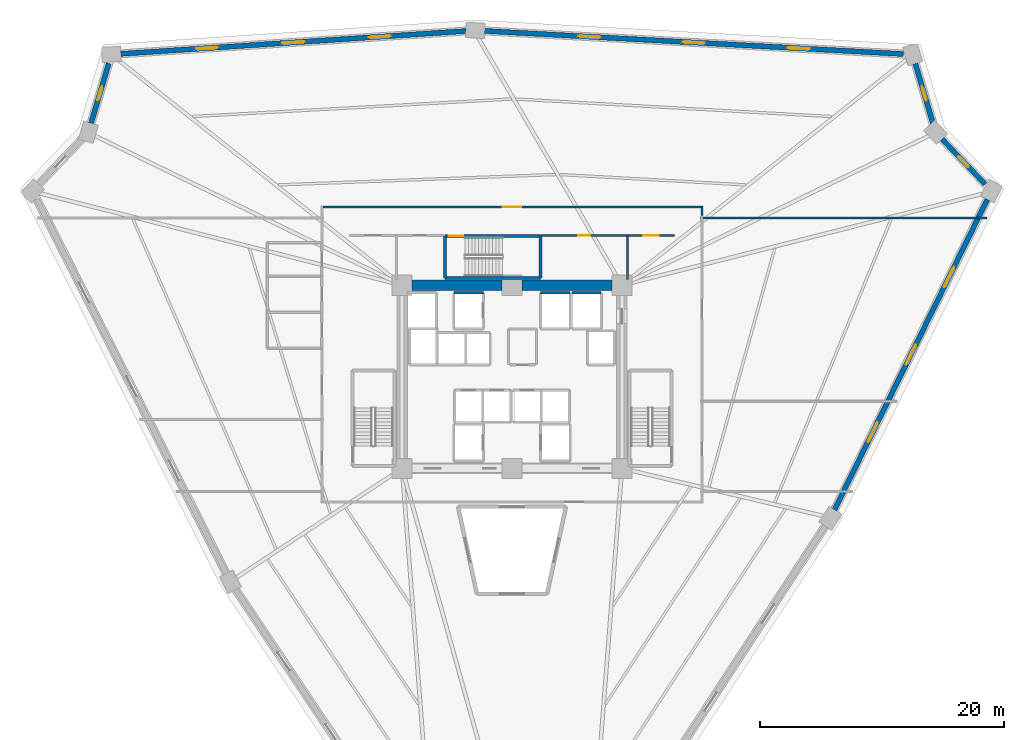
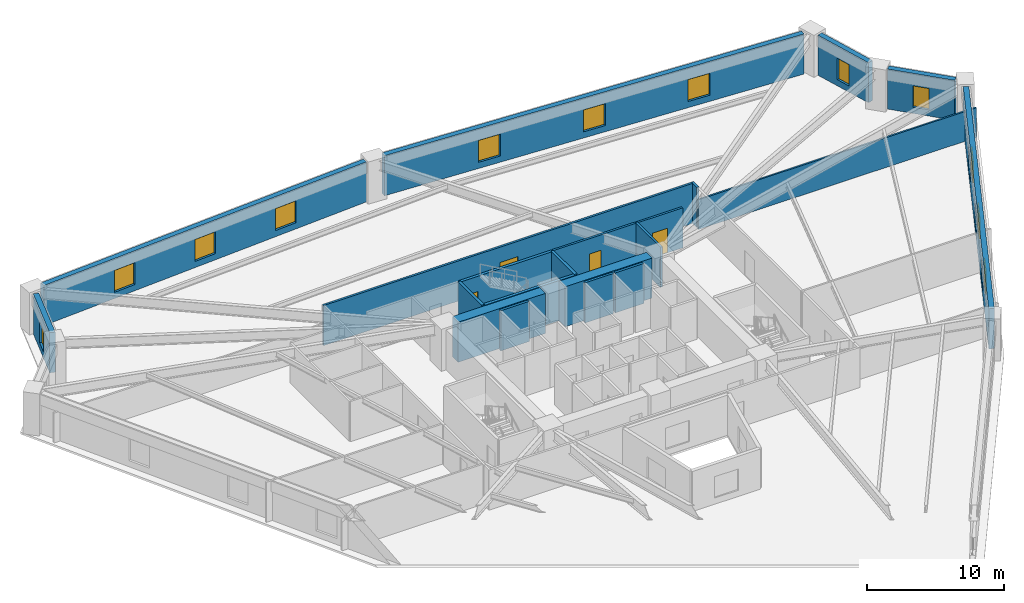
# One storey, part 6 of 8: 21 walls, 12 windows, 4 doors, 16 openings.
"""IFC4 building model written with IfcOpenShell, lengths in metres."""

from ifc_helpers import new_model, si_unit, direction, frame, frame_2d, origin, place, context, subcontext, project, spatial, rectangle, extrude, source, transform, mapped, material, layer, layer_set, type_object, element, fill, save


model = new_model("IFC4")

# Units and contexts
model_context = context("Model", 3, precision=1e-05, world=origin(), true_north=direction((0.0, 1.0)))
body_context = subcontext(model_context, "Body", "Model", "MODEL_VIEW")
ifc_project = project(units=[si_unit("LENGTHUNIT", "METRE"), si_unit("AREAUNIT", "SQUARE_METRE"), si_unit("VOLUMEUNIT", "CUBIC_METRE"), si_unit("PLANEANGLEUNIT", "RADIAN"), si_unit("MASSUNIT", "GRAM", prefix="KILO")], contexts=[model_context])

# Site, building, storey
site_placement = place(None, origin())
site = spatial("IfcSite", under=ifc_project, at=site_placement, CompositionType="ELEMENT")
building_placement = place(site_placement, origin())
building = spatial("IfcBuilding", under=site, at=building_placement, Name="Liaohun Quay Tower", CompositionType="ELEMENT")
storey_placement = place(building_placement, frame((0.0, 0.0, 36.0)))
storey = spatial("IfcBuildingStorey", under=building, at=storey_placement, Name="L09", CompositionType="ELEMENT", Elevation=36.0)

# Walls
ifc_material_1 = material(Name="Concrete C60", Category="concrete")
ifc_layer_1 = layer(ifc_material_1, 0.85009765625, Name="Concrete C60", Category="concrete")
ifc_layer_set_1 = layer_set([ifc_layer_1], Name="Concrete C60")
wall_type_1 = type_object("IfcWallType", Name="WAL-COR-Z1", PredefinedType="SHEAR", material=ifc_layer_set_1)
for number, where, z_axis, x_axis, name in (
    (1, (51.824951171875, 61.5, 0.0), (0.0, 0.0, 1.0), (1.0, 0.0, 0.0), "L09 Central Core Shear Wall N-W"),
    (2, (60.824951171875, 61.5, 0.0), (0.0, 0.0, 1.0), (1.0, 0.0, 0.0), "L09 Central Core Shear Wall N-E"),
):
    element("IfcWall", number, at=place(storey_placement, frame(where, z_axis=z_axis, x_axis=x_axis)), inside=storey, type_object=wall_type_1, Name=name, PredefinedType="SHEAR", context=body_context, shape_type="SweptSolid", body=[
        extrude(rectangle(XDim=7.35009765625, YDim=0.85009765625, at=frame_2d((3.675048828125, 0.0))), origin(), (0.0, 0.0, 1.0), 3.570068359375),
    ])

# Wall, openings, windows
ifc_material_2 = material(Name="Precast concrete C50 insulated sandwich", Category="concrete")
ifc_layer_2 = layer(ifc_material_2, 0.419921875, Name="Precast concrete C50 insulated sandwich", Category="concrete")
ifc_layer_set_2 = layer_set([ifc_layer_2], Name="Precast concrete C50 insulated sandwich")
wall_type_2 = type_object("IfcWallType", Name="WAL-EXT-Z12", PredefinedType="SOLIDWALL", material=ifc_layer_set_2)
wall_1_placement = place(storey_placement, frame((86.402099609375, 43.10888671875, 0.0), z_axis=(0.0, 0.0, 1.0), x_axis=(0.441766083851, 0.897130273238, 0.0)))
wall_1 = element("IfcWall", 3, at=wall_1_placement, inside=storey, type_object=wall_type_2, Name="L09 Brutalist Precast Pier Wall 03", PredefinedType="SOLIDWALL", context=body_context, shape_type="SweptSolid", body=[
    extrude(rectangle(XDim=28.33154296875, YDim=0.419921875, at=frame_2d((14.165771484375, 0.0))), origin(), (0.0, 0.0, 1.0), 3.570068359375),
])
shared_shape_1 = source(origin(), body_context, "Body", "SweptSolid", [
    extrude(rectangle(XDim=1.800048828125, YDim=1.949951171875, at=frame_2d((0.89990234375, 0.97509765625))), frame((0.0, 0.219970703125, 0.0), z_axis=(0.0, -1.0, 0.0), x_axis=(1.0, 0.0, 0.0)), (0.0, 0.0, 1.0), 0.43994140625),
])
opening_1_placement = place(wall_1_placement, frame((6.18310546875, 0.0, 0.550048828125)))
opening_1 = element("IfcOpeningElement", 4, at=opening_1_placement, cuts=wall_1, Name="Opening W01", PredefinedType="OPENING", context=body_context, shape_type="MappedRepresentation", body=[
    mapped(shared_shape_1, transform((0.0, 0.0, 0.0), x_axis=(1.0, 0.0, 0.0), y_axis=(0.0, 1.0, 0.0), z_axis=(0.0, 0.0, 1.0), scale=1.0)),
])
opening_2_placement = place(wall_1_placement, frame((13.26611328125, 0.0, 0.550048828125)))
opening_2 = element("IfcOpeningElement", 5, at=opening_2_placement, cuts=wall_1, Name="Opening W01", PredefinedType="OPENING", context=body_context, shape_type="MappedRepresentation", body=[
    mapped(shared_shape_1, transform((0.0, 0.0, 0.0), x_axis=(1.0, 0.0, 0.0), y_axis=(0.0, 1.0, 0.0), z_axis=(0.0, 0.0, 1.0), scale=1.0)),
])
opening_3_placement = place(wall_1_placement, frame((20.34912109375, 0.0, 0.550048828125)))
opening_3 = element("IfcOpeningElement", 6, at=opening_3_placement, cuts=wall_1, Name="Opening W01", PredefinedType="OPENING", context=body_context, shape_type="MappedRepresentation", body=[
    mapped(shared_shape_1, transform((0.0, 0.0, 0.0), x_axis=(1.0, 0.0, 0.0), y_axis=(0.0, 1.0, 0.0), z_axis=(0.0, 0.0, 1.0), scale=1.0)),
])
ifc_material_3 = material(Name="Triple Low-E argon glazing in thermally broken aluminium", Category="aluminium")
window_type_1 = type_object("IfcWindowType", Name="WIN-PUN-Z1", PartitioningType="DOUBLE_PANEL_VERTICAL", PredefinedType="WINDOW", material=ifc_material_3)
shared_shape_2 = source(origin(), body_context, "Body", "SweptSolid", [
    extrude(rectangle(XDim=1.800048828125, YDim=1.949951171875, at=frame_2d((0.89990234375, 0.97509765625))), frame((0.0, 0.030029296875, 0.0), z_axis=(0.0, -1.0, 0.0), x_axis=(1.0, 0.0, 0.0)), (0.0, 0.0, 1.0), 0.06005859375),
])
window_1_placement = place(opening_1_placement, origin())
window_1 = element("IfcWindow", 7, at=window_1_placement, inside=storey, type_object=window_type_1, Name="L09 Recessed Cold-Climate Punched Window 03-1", OverallHeight=1.949951171875, OverallWidth=1.800048828125, PartitioningType="DOUBLE_PANEL_VERTICAL", PredefinedType="WINDOW", context=body_context, shape_type="MappedRepresentation", body=[
    mapped(shared_shape_2, transform((0.0, 0.0, 0.0), x_axis=(1.0, 0.0, 0.0), y_axis=(0.0, 1.0, 0.0), z_axis=(0.0, 0.0, 1.0), scale=1.0)),
])
fill(opening_1, window_1)
window_2_placement = place(opening_2_placement, origin())
window_2 = element("IfcWindow", 8, at=window_2_placement, inside=storey, type_object=window_type_1, Name="L09 Recessed Cold-Climate Punched Window 03-2", OverallHeight=1.949951171875, OverallWidth=1.800048828125, PartitioningType="DOUBLE_PANEL_VERTICAL", PredefinedType="WINDOW", context=body_context, shape_type="MappedRepresentation", body=[
    mapped(shared_shape_2, transform((0.0, 0.0, 0.0), x_axis=(1.0, 0.0, 0.0), y_axis=(0.0, 1.0, 0.0), z_axis=(0.0, 0.0, 1.0), scale=1.0)),
])
fill(opening_2, window_2)
window_3_placement = place(opening_3_placement, origin())
window_3 = element("IfcWindow", 9, at=window_3_placement, inside=storey, type_object=window_type_1, Name="L09 Recessed Cold-Climate Punched Window 03-3", OverallHeight=1.949951171875, OverallWidth=1.800048828125, PartitioningType="DOUBLE_PANEL_VERTICAL", PredefinedType="WINDOW", context=body_context, shape_type="MappedRepresentation", body=[
    mapped(shared_shape_2, transform((0.0, 0.0, 0.0), x_axis=(1.0, 0.0, 0.0), y_axis=(0.0, 1.0, 0.0), z_axis=(0.0, 0.0, 1.0), scale=1.0)),
])
fill(opening_3, window_3)

# Wall, opening, window
wall_2_placement = place(storey_placement, frame((98.72900390625, 69.76611328125, 0.0), z_axis=(0.0, 0.0, 1.0), x_axis=(-0.689380748277, 0.724399188228, 0.0)))
wall_2 = element("IfcWall", 10, at=wall_2_placement, inside=storey, type_object=wall_type_2, Name="L09 Brutalist Precast Pier Wall 04", PredefinedType="SOLIDWALL", context=body_context, shape_type="SweptSolid", body=[
    extrude(rectangle(XDim=5.1103515625, YDim=0.419921875, at=frame_2d((2.55517578125, 0.0))), origin(), (0.0, 0.0, 1.0), 3.570068359375),
])
shared_shape_3 = source(origin(), body_context, "Body", "SweptSolid", [
    extrude(rectangle(XDim=1.199951171875, YDim=1.89990234375, at=frame_2d((0.60009765625, 0.949951171875))), frame((0.0, 0.219970703125, 0.0), z_axis=(0.0, -1.0, 0.0), x_axis=(1.0, 0.0, 0.0)), (0.0, 0.0, 1.0), 0.43994140625),
])
opening_4_placement = place(wall_2_placement, frame((1.955078125, 0.0, 0.550048828125)))
opening_4 = element("IfcOpeningElement", 11, at=opening_4_placement, cuts=wall_2, Name="Opening W05", PredefinedType="OPENING", context=body_context, shape_type="MappedRepresentation", body=[
    mapped(shared_shape_3, transform((0.0, 0.0, 0.0), x_axis=(1.0, 0.0, 0.0), y_axis=(0.0, 1.0, 0.0), z_axis=(0.0, 0.0, 1.0), scale=1.0)),
])
ifc_material_4 = material(Name="Triple Low-E corner notch glazing", Category="glass")
window_type_2 = type_object("IfcWindowType", Name="WIN-NOTCH", PartitioningType="SINGLE_PANEL", PredefinedType="WINDOW", material=ifc_material_4)
shared_shape_4 = source(origin(), body_context, "Body", "SweptSolid", [
    extrude(rectangle(XDim=1.199951171875, YDim=1.89990234375, at=frame_2d((0.60009765625, 0.949951171875))), frame((0.0, 0.030029296875, 0.0), z_axis=(0.0, -1.0, 0.0), x_axis=(1.0, 0.0, 0.0)), (0.0, 0.0, 1.0), 0.06005859375),
])
window_4_placement = place(opening_4_placement, origin())
window_4 = element("IfcWindow", 12, at=window_4_placement, inside=storey, type_object=window_type_2, Name="L09 Corner Notch Window W05-04", OverallHeight=1.89990234375, OverallWidth=1.199951171875, PartitioningType="SINGLE_PANEL", PredefinedType="WINDOW", context=body_context, shape_type="MappedRepresentation", body=[
    mapped(shared_shape_4, transform((0.0, 0.0, 0.0), x_axis=(1.0, 0.0, 0.0), y_axis=(0.0, 1.0, 0.0), z_axis=(0.0, 0.0, 1.0), scale=1.0)),
])
fill(opening_4, window_4)

wall_3_placement = place(storey_placement, frame((94.462890625, 74.756103515625, 0.0), z_axis=(0.0, 0.0, 1.0), x_axis=(-0.282977060142, 0.959126677469, 0.0)))
wall_3 = element("IfcWall", 13, at=wall_3_placement, inside=storey, type_object=wall_type_2, Name="L09 Brutalist Precast Pier Wall 05", PredefinedType="SOLIDWALL", context=body_context, shape_type="SweptSolid", body=[
    extrude(rectangle(XDim=5.102294921875, YDim=0.419921875, at=frame_2d((2.55126953125, 0.0))), origin(), (0.0, 0.0, 1.0), 3.570068359375),
])
opening_5_placement = place(wall_3_placement, frame((1.950927734375, 0.0, 0.550048828125)))
opening_5 = element("IfcOpeningElement", 14, at=opening_5_placement, cuts=wall_3, Name="Opening W05", PredefinedType="OPENING", context=body_context, shape_type="MappedRepresentation", body=[
    mapped(shared_shape_3, transform((0.0, 0.0, 0.0), x_axis=(1.0, 0.0, 0.0), y_axis=(0.0, 1.0, 0.0), z_axis=(0.0, 0.0, 1.0), scale=1.0)),
])
window_5_placement = place(opening_5_placement, origin())
window_5 = element("IfcWindow", 15, at=window_5_placement, inside=storey, type_object=window_type_2, Name="L09 Corner Notch Window W05-05", OverallHeight=1.89990234375, OverallWidth=1.199951171875, PartitioningType="SINGLE_PANEL", PredefinedType="WINDOW", context=body_context, shape_type="MappedRepresentation", body=[
    mapped(shared_shape_4, transform((0.0, 0.0, 0.0), x_axis=(1.0, 0.0, 0.0), y_axis=(0.0, 1.0, 0.0), z_axis=(0.0, 0.0, 1.0), scale=1.0)),
])
fill(opening_5, window_5)

# Wall, openings, windows
wall_4_placement = place(storey_placement, frame((92.0390625, 80.426025390625, 0.0), z_axis=(0.0, 0.0, 1.0), x_axis=(-0.998480221771, 0.055111221476, 0.0)))
wall_4 = element("IfcWall", 16, at=wall_4_placement, inside=storey, type_object=wall_type_2, Name="L09 Brutalist Precast Pier Wall 06", PredefinedType="SOLIDWALL", context=body_context, shape_type="SweptSolid", body=[
    extrude(rectangle(XDim=34.332275390625, YDim=0.419921875, at=frame_2d((17.166015625, 0.0))), origin(), (0.0, 0.0, 1.0), 3.570068359375),
])
opening_6_placement = place(wall_4_placement, frame((7.68310546875, 0.0, 0.550048828125)))
opening_6 = element("IfcOpeningElement", 17, at=opening_6_placement, cuts=wall_4, Name="Opening W01", PredefinedType="OPENING", context=body_context, shape_type="MappedRepresentation", body=[
    mapped(shared_shape_1, transform((0.0, 0.0, 0.0), x_axis=(1.0, 0.0, 0.0), y_axis=(0.0, 1.0, 0.0), z_axis=(0.0, 0.0, 1.0), scale=1.0)),
])
opening_7_placement = place(wall_4_placement, frame((16.26611328125, 0.0, 0.550048828125)))
opening_7 = element("IfcOpeningElement", 18, at=opening_7_placement, cuts=wall_4, Name="Opening W01", PredefinedType="OPENING", context=body_context, shape_type="MappedRepresentation", body=[
    mapped(shared_shape_1, transform((0.0, 0.0, 0.0), x_axis=(1.0, 0.0, 0.0), y_axis=(0.0, 1.0, 0.0), z_axis=(0.0, 0.0, 1.0), scale=1.0)),
])
opening_8_placement = place(wall_4_placement, frame((24.84912109375, 0.0, 0.550048828125)))
opening_8 = element("IfcOpeningElement", 19, at=opening_8_placement, cuts=wall_4, Name="Opening W01", PredefinedType="OPENING", context=body_context, shape_type="MappedRepresentation", body=[
    mapped(shared_shape_1, transform((0.0, 0.0, 0.0), x_axis=(1.0, 0.0, 0.0), y_axis=(0.0, 1.0, 0.0), z_axis=(0.0, 0.0, 1.0), scale=1.0)),
])
window_6_placement = place(opening_6_placement, origin())
window_6 = element("IfcWindow", 20, at=window_6_placement, inside=storey, type_object=window_type_1, Name="L09 Recessed Cold-Climate Punched Window 06-1", OverallHeight=1.949951171875, OverallWidth=1.800048828125, PartitioningType="DOUBLE_PANEL_VERTICAL", PredefinedType="WINDOW", context=body_context, shape_type="MappedRepresentation", body=[
    mapped(shared_shape_2, transform((0.0, 0.0, 0.0), x_axis=(1.0, 0.0, 0.0), y_axis=(0.0, 1.0, 0.0), z_axis=(0.0, 0.0, 1.0), scale=1.0)),
])
fill(opening_6, window_6)
window_7_placement = place(opening_7_placement, origin())
window_7 = element("IfcWindow", 21, at=window_7_placement, inside=storey, type_object=window_type_1, Name="L09 Recessed Cold-Climate Punched Window 06-2", OverallHeight=1.949951171875, OverallWidth=1.800048828125, PartitioningType="DOUBLE_PANEL_VERTICAL", PredefinedType="WINDOW", context=body_context, shape_type="MappedRepresentation", body=[
    mapped(shared_shape_2, transform((0.0, 0.0, 0.0), x_axis=(1.0, 0.0, 0.0), y_axis=(0.0, 1.0, 0.0), z_axis=(0.0, 0.0, 1.0), scale=1.0)),
])
fill(opening_7, window_7)
window_8_placement = place(opening_8_placement, origin())
window_8 = element("IfcWindow", 22, at=window_8_placement, inside=storey, type_object=window_type_1, Name="L09 Recessed Cold-Climate Punched Window 06-3", OverallHeight=1.949951171875, OverallWidth=1.800048828125, PartitioningType="DOUBLE_PANEL_VERTICAL", PredefinedType="WINDOW", context=body_context, shape_type="MappedRepresentation", body=[
    mapped(shared_shape_2, transform((0.0, 0.0, 0.0), x_axis=(1.0, 0.0, 0.0), y_axis=(0.0, 1.0, 0.0), z_axis=(0.0, 0.0, 1.0), scale=1.0)),
])
fill(opening_8, window_8)

wall_5_placement = place(storey_placement, frame((56.23193359375, 82.31005859375, 0.0), z_axis=(0.0, 0.0, 1.0), x_axis=(-0.997821383979, -0.06597337095, 0.0)))
wall_5 = element("IfcWall", 23, at=wall_5_placement, inside=storey, type_object=wall_type_2, Name="L09 Brutalist Precast Pier Wall 07", PredefinedType="SOLIDWALL", context=body_context, shape_type="SweptSolid", body=[
    extrude(rectangle(XDim=28.331787109375, YDim=0.419921875, at=frame_2d((14.166015625, 0.0))), origin(), (0.0, 0.0, 1.0), 3.570068359375),
])
opening_9_placement = place(wall_5_placement, frame((6.18310546875, 0.0, 0.550048828125)))
opening_9 = element("IfcOpeningElement", 24, at=opening_9_placement, cuts=wall_5, Name="Opening W01", PredefinedType="OPENING", context=body_context, shape_type="MappedRepresentation", body=[
    mapped(shared_shape_1, transform((0.0, 0.0, 0.0), x_axis=(1.0, 0.0, 0.0), y_axis=(0.0, 1.0, 0.0), z_axis=(0.0, 0.0, 1.0), scale=1.0)),
])
opening_10_placement = place(wall_5_placement, frame((13.26611328125, 0.0, 0.550048828125)))
opening_10 = element("IfcOpeningElement", 25, at=opening_10_placement, cuts=wall_5, Name="Opening W01", PredefinedType="OPENING", context=body_context, shape_type="MappedRepresentation", body=[
    mapped(shared_shape_1, transform((0.0, 0.0, 0.0), x_axis=(1.0, 0.0, 0.0), y_axis=(0.0, 1.0, 0.0), z_axis=(0.0, 0.0, 1.0), scale=1.0)),
])
opening_11_placement = place(wall_5_placement, frame((20.34912109375, 0.0, 0.550048828125)))
opening_11 = element("IfcOpeningElement", 26, at=opening_11_placement, cuts=wall_5, Name="Opening W01", PredefinedType="OPENING", context=body_context, shape_type="MappedRepresentation", body=[
    mapped(shared_shape_1, transform((0.0, 0.0, 0.0), x_axis=(1.0, 0.0, 0.0), y_axis=(0.0, 1.0, 0.0), z_axis=(0.0, 0.0, 1.0), scale=1.0)),
])
window_9_placement = place(opening_9_placement, origin())
window_9 = element("IfcWindow", 27, at=window_9_placement, inside=storey, type_object=window_type_1, Name="L09 Recessed Cold-Climate Punched Window 07-1", OverallHeight=1.949951171875, OverallWidth=1.800048828125, PartitioningType="DOUBLE_PANEL_VERTICAL", PredefinedType="WINDOW", context=body_context, shape_type="MappedRepresentation", body=[
    mapped(shared_shape_2, transform((0.0, 0.0, 0.0), x_axis=(1.0, 0.0, 0.0), y_axis=(0.0, 1.0, 0.0), z_axis=(0.0, 0.0, 1.0), scale=1.0)),
])
fill(opening_9, window_9)
window_10_placement = place(opening_10_placement, origin())
window_10 = element("IfcWindow", 28, at=window_10_placement, inside=storey, type_object=window_type_1, Name="L09 Recessed Cold-Climate Punched Window 07-2", OverallHeight=1.949951171875, OverallWidth=1.800048828125, PartitioningType="DOUBLE_PANEL_VERTICAL", PredefinedType="WINDOW", context=body_context, shape_type="MappedRepresentation", body=[
    mapped(shared_shape_2, transform((0.0, 0.0, 0.0), x_axis=(1.0, 0.0, 0.0), y_axis=(0.0, 1.0, 0.0), z_axis=(0.0, 0.0, 1.0), scale=1.0)),
])
fill(opening_10, window_10)
window_11_placement = place(opening_11_placement, origin())
window_11 = element("IfcWindow", 29, at=window_11_placement, inside=storey, type_object=window_type_1, Name="L09 Recessed Cold-Climate Punched Window 07-3", OverallHeight=1.949951171875, OverallWidth=1.800048828125, PartitioningType="DOUBLE_PANEL_VERTICAL", PredefinedType="WINDOW", context=body_context, shape_type="MappedRepresentation", body=[
    mapped(shared_shape_2, transform((0.0, 0.0, 0.0), x_axis=(1.0, 0.0, 0.0), y_axis=(0.0, 1.0, 0.0), z_axis=(0.0, 0.0, 1.0), scale=1.0)),
])
fill(opening_11, window_11)

# Wall, opening, window
wall_6_placement = place(storey_placement, frame((26.98291015625, 79.656982421875, 0.0), z_axis=(0.0, 0.0, 1.0), x_axis=(-0.282952619542, -0.959133887992, 0.0)))
wall_6 = element("IfcWall", 30, at=wall_6_placement, inside=storey, type_object=wall_type_2, Name="L09 Brutalist Precast Pier Wall 08", PredefinedType="SOLIDWALL", context=body_context, shape_type="SweptSolid", body=[
    extrude(rectangle(XDim=5.109619140625, YDim=0.419921875, at=frame_2d((2.5546875, 0.0))), origin(), (0.0, 0.0, 1.0), 3.570068359375),
])
opening_12_placement = place(wall_6_placement, frame((1.955078125, 0.0, 0.550048828125)))
opening_12 = element("IfcOpeningElement", 31, at=opening_12_placement, cuts=wall_6, Name="Opening W05", PredefinedType="OPENING", context=body_context, shape_type="MappedRepresentation", body=[
    mapped(shared_shape_3, transform((0.0, 0.0, 0.0), x_axis=(1.0, 0.0, 0.0), y_axis=(0.0, 1.0, 0.0), z_axis=(0.0, 0.0, 1.0), scale=1.0)),
])
window_12_placement = place(opening_12_placement, origin())
window_12 = element("IfcWindow", 32, at=window_12_placement, inside=storey, type_object=window_type_2, Name="L09 Corner Notch Window W05-08", OverallHeight=1.89990234375, OverallWidth=1.199951171875, PartitioningType="SINGLE_PANEL", PredefinedType="WINDOW", context=body_context, shape_type="MappedRepresentation", body=[
    mapped(shared_shape_4, transform((0.0, 0.0, 0.0), x_axis=(1.0, 0.0, 0.0), y_axis=(0.0, 1.0, 0.0), z_axis=(0.0, 0.0, 1.0), scale=1.0)),
])
fill(opening_12, window_12)

# Wall, opening, door
ifc_material_5 = material(Name="Autoclaved aerated concrete blockwork", Category="masonry")
ifc_layer_3 = layer(ifc_material_5, 0.179931640625, Name="Autoclaved aerated concrete blockwork", Category="masonry")
ifc_layer_set_3 = layer_set([ifc_layer_3], Name="Autoclaved aerated concrete blockwork")
wall_type_3 = type_object("IfcWallType", Name="WAL-PRT-COR", PredefinedType="PARTITIONING", material=ifc_layer_set_3)
wall_7_placement = place(storey_placement, frame((62.389892578125, 65.580078125, 0.0), z_axis=(0.0, 0.0, 1.0), x_axis=(1.0, 0.0, 0.0)))
wall_7 = element("IfcWall", 33, at=wall_7_placement, inside=storey, type_object=wall_type_3, Name="L09 Interior Partition Wall 006", PredefinedType="PARTITIONING", context=body_context, shape_type="SweptSolid", body=[
    extrude(rectangle(XDim=7.070068359375, YDim=0.179931640625, at=frame_2d((3.53515625, 0.0))), origin(), (0.0, 0.0, 1.0), 3.570068359375),
])
shared_shape_5 = source(origin(), body_context, "Body", "SweptSolid", [
    extrude(rectangle(XDim=1.0, YDim=2.199951171875, at=frame_2d((0.5, 1.10009765625))), frame((0.0, 0.099853515625, 0.0), z_axis=(0.0, -1.0, 0.0), x_axis=(1.0, 0.0, 0.0)), (0.0, 0.0, 1.0), 0.199951171875),
])
opening_13_placement = place(wall_7_placement, frame((3.034912109375, 0.0, 0.0)))
opening_13 = element("IfcOpeningElement", 34, at=opening_13_placement, cuts=wall_7, Name="Opening OD1", PredefinedType="OPENING", context=body_context, shape_type="MappedRepresentation", body=[
    mapped(shared_shape_5, transform((0.0, 0.0, 0.0), x_axis=(1.0, 0.0, 0.0), y_axis=(0.0, 1.0, 0.0), z_axis=(0.0, 0.0, 1.0), scale=1.0)),
])
ifc_material_6 = material(Name="Solid-core oak veneer timber leaf in steel frame", Category="steel")
door_type_1 = type_object("IfcDoorType", Name="DOR-OFF-1000", OperationType="NOTDEFINED", PredefinedType="DOOR", material=ifc_material_6)
shared_shape_6 = source(origin(), body_context, "Body", "SweptSolid", [
    extrude(rectangle(XDim=1.0, YDim=2.199951171875, at=frame_2d((0.5, 1.10009765625))), frame((0.0, 0.02490234375, 0.0), z_axis=(0.0, -1.0, 0.0), x_axis=(1.0, 0.0, 0.0)), (0.0, 0.0, 1.0), 0.050048828125),
])
door_1_placement = place(opening_13_placement, origin())
door_1 = element("IfcDoor", 35, at=door_1_placement, inside=storey, type_object=door_type_1, Name="L09 North-East Archive and Mail Room Door", OperationType="SINGLE_SWING_LEFT", OverallHeight=2.199951171875, OverallWidth=1.0, PredefinedType="DOOR", context=body_context, shape_type="MappedRepresentation", body=[
    mapped(shared_shape_6, transform((0.0, 0.0, 0.0), x_axis=(1.0, 0.0, 0.0), y_axis=(0.0, 1.0, 0.0), z_axis=(0.0, 0.0, 1.0), scale=1.0)),
])
fill(opening_13, door_1)

wall_8_placement = place(storey_placement, frame((69.4599609375, 65.580078125, 0.0), z_axis=(0.0, 0.0, 1.0), x_axis=(1.0, 0.0, 0.0)))
wall_8 = element("IfcWall", 36, at=wall_8_placement, inside=storey, type_object=wall_type_3, Name="L09 Interior Partition Wall 008", PredefinedType="PARTITIONING", context=body_context, shape_type="SweptSolid", body=[
    extrude(rectangle(XDim=3.840087890625, YDim=0.179931640625, at=frame_2d((1.919921875, 0.0))), origin(), (0.0, 0.0, 1.0), 3.570068359375),
])
shared_shape_7 = source(origin(), body_context, "Body", "SweptSolid", [
    extrude(rectangle(XDim=1.300048828125, YDim=2.199951171875, at=frame_2d((0.64990234375, 1.10009765625))), frame((0.0, 0.099853515625, 0.0), z_axis=(0.0, -1.0, 0.0), x_axis=(1.0, 0.0, 0.0)), (0.0, 0.0, 1.0), 0.199951171875),
])
opening_14_placement = place(wall_8_placement, frame((1.27001953125, 0.0, 0.0)))
opening_14 = element("IfcOpeningElement", 37, at=opening_14_placement, cuts=wall_8, Name="Opening FD1", PredefinedType="OPENING", context=body_context, shape_type="MappedRepresentation", body=[
    mapped(shared_shape_7, transform((0.0, 0.0, 0.0), x_axis=(1.0, 0.0, 0.0), y_axis=(0.0, 1.0, 0.0), z_axis=(0.0, 0.0, 1.0), scale=1.0)),
])
ifc_material_7 = material(Name="Galvanised steel smokeproof fire door", Category="steel")
door_type_2 = type_object("IfcDoorType", Name="DOR-FFL-1300", OperationType="NOTDEFINED", PredefinedType="DOOR", material=ifc_material_7)
shared_shape_8 = source(origin(), body_context, "Body", "SweptSolid", [
    extrude(rectangle(XDim=1.300048828125, YDim=2.199951171875, at=frame_2d((0.64990234375, 1.10009765625))), frame((0.0, 0.02490234375, 0.0), z_axis=(0.0, -1.0, 0.0), x_axis=(1.0, 0.0, 0.0)), (0.0, 0.0, 1.0), 0.050048828125),
])
door_2_placement = place(opening_14_placement, origin())
door_2 = element("IfcDoor", 38, at=door_2_placement, inside=storey, type_object=door_type_2, Name="L09 East Core Vestibule Door", OperationType="SINGLE_SWING_LEFT", OverallHeight=2.199951171875, OverallWidth=1.300048828125, PredefinedType="DOOR", context=body_context, shape_type="MappedRepresentation", body=[
    mapped(shared_shape_8, transform((0.0, 0.0, 0.0), x_axis=(1.0, 0.0, 0.0), y_axis=(0.0, 1.0, 0.0), z_axis=(0.0, 0.0, 1.0), scale=1.0)),
])
fill(opening_14, door_2)

wall_9_placement = place(storey_placement, frame((44.3701171875, 67.909912109375, 0.0), z_axis=(0.0, 0.0, 1.0), x_axis=(1.0, 0.0, 0.0)))
wall_9 = element("IfcWall", 39, at=wall_9_placement, inside=storey, type_object=wall_type_3, Name="L09 Interior Partition Wall 010", PredefinedType="PARTITIONING", context=body_context, shape_type="SweptSolid", body=[
    extrude(rectangle(XDim=31.259765625, YDim=0.179931640625, at=frame_2d((15.6298828125, 0.0))), origin(), (0.0, 0.0, 1.0), 3.570068359375),
])
shared_shape_9 = source(origin(), body_context, "Body", "SweptSolid", [
    extrude(rectangle(XDim=1.5, YDim=2.199951171875, at=frame_2d((0.75, 1.10009765625))), frame((0.0, 0.099853515625, 0.0), z_axis=(0.0, -1.0, 0.0), x_axis=(1.0, 0.0, 0.0)), (0.0, 0.0, 1.0), 0.199951171875),
])
opening_15_placement = place(wall_9_placement, frame((14.8798828125, 0.0, 0.0)))
opening_15 = element("IfcOpeningElement", 40, at=opening_15_placement, cuts=wall_9, Name="Opening OD2", PredefinedType="OPENING", context=body_context, shape_type="MappedRepresentation", body=[
    mapped(shared_shape_9, transform((0.0, 0.0, 0.0), x_axis=(1.0, 0.0, 0.0), y_axis=(0.0, 1.0, 0.0), z_axis=(0.0, 0.0, 1.0), scale=1.0)),
])
ifc_material_8 = material(Name="Acoustic oak veneer double door")
door_type_3 = type_object("IfcDoorType", Name="DOR-OFF-1500", OperationType="DOUBLE_DOOR_SINGLE_SWING", PredefinedType="DOOR", material=ifc_material_8)
shared_shape_10 = source(origin(), body_context, "Body", "SweptSolid", [
    extrude(rectangle(XDim=1.5, YDim=2.199951171875, at=frame_2d((0.75, 1.10009765625))), frame((0.0, 0.02490234375, 0.0), z_axis=(0.0, -1.0, 0.0), x_axis=(1.0, 0.0, 0.0)), (0.0, 0.0, 1.0), 0.050048828125),
])
door_3_placement = place(opening_15_placement, origin())
door_3 = element("IfcDoor", 41, at=door_3_placement, inside=storey, type_object=door_type_3, Name="L09 Technical Reference Library 02 Door", OperationType="DOUBLE_DOOR_SINGLE_SWING", OverallHeight=2.199951171875, OverallWidth=1.5, PredefinedType="DOOR", context=body_context, shape_type="MappedRepresentation", body=[
    mapped(shared_shape_10, transform((0.0, 0.0, 0.0), x_axis=(1.0, 0.0, 0.0), y_axis=(0.0, 1.0, 0.0), z_axis=(0.0, 0.0, 1.0), scale=1.0)),
])
fill(opening_15, door_3)

# Walls
wall_10_placement = place(storey_placement, frame((69.4599609375, 61.949951171875, 0.0), z_axis=(0.0, 0.0, 1.0), x_axis=(0.0, 1.0, 0.0)))
element("IfcWall", 42, at=wall_10_placement, inside=storey, type_object=wall_type_3, Name="L09 Interior Partition Wall 024", PredefinedType="PARTITIONING", context=body_context, shape_type="SweptSolid", body=[
    extrude(rectangle(XDim=3.630126953125, YDim=0.179931640625, at=frame_2d((1.81494140625, 0.0))), origin(), (0.0, 0.0, 1.0), 3.570068359375),
])
wall_11_placement = place(storey_placement, frame((75.56005859375, 67.97998046875, 0.0), z_axis=(0.0, 0.0, 1.0), x_axis=(0.0, -1.0, 0.0)))
element("IfcWall", 43, at=wall_11_placement, inside=storey, type_object=wall_type_3, Name="L09 Interior Partition Wall 026", PredefinedType="PARTITIONING", context=body_context, shape_type="SweptSolid", body=[
    extrude(rectangle(XDim=0.764892578125, YDim=0.179931640625, at=frame_2d((0.38232421875, 0.0))), origin(), (0.0, 0.0, 1.0), 3.570068359375),
])
ifc_material_9 = material(Name="Gypsum board on twin steel studs", Category="steel")
ifc_layer_4 = layer(ifc_material_9, 0.139892578125, Name="Gypsum board on twin steel studs", Category="steel")
ifc_layer_set_4 = layer_set([ifc_layer_4], Name="Gypsum board on twin steel studs")
wall_type_4 = type_object("IfcWallType", Name="WAL-PRT-OFF", PredefinedType="PARTITIONING", material=ifc_layer_set_4)
wall_12_placement = place(storey_placement, frame((75.4599609375, 67.0, 0.0), z_axis=(0.0, 0.0, 1.0), x_axis=(1.0, 0.0, 0.0)))
element("IfcWall", 44, at=wall_12_placement, inside=storey, type_object=wall_type_4, Name="L09 Interior Partition Wall 035", PredefinedType="PARTITIONING", context=body_context, shape_type="SweptSolid", body=[
    extrude(rectangle(XDim=23.41015625, YDim=0.139892578125, at=frame_2d((11.705078125, 0.0))), origin(), (0.0, 0.0, 1.0), 2.655029296875),
])
ifc_material_10 = material(Name="Concrete C50", Category="concrete")
ifc_layer_5 = layer(ifc_material_10, 0.239990234375, Name="Concrete C50", Category="concrete")
ifc_layer_set_5 = layer_set([ifc_layer_5], Name="Concrete C50")
wall_type_5 = type_object("IfcWallType", Name="WAL-SHF-200", PredefinedType="SOLIDWALL", material=ifc_layer_set_5)
wall_13_placement = place(storey_placement, frame((54.5, 62.10009765625, 0.0), z_axis=(0.0, 0.0, 1.0), x_axis=(1.0, 0.0, 0.0)))
element("IfcWall", 45, at=wall_13_placement, inside=storey, type_object=wall_type_5, Name="L09 Stairwell ST-3 Structural Core Wall S", PredefinedType="SOLIDWALL", context=body_context, shape_type="SweptSolid", body=[
    extrude(rectangle(XDim=7.820068359375, YDim=0.239990234375, at=frame_2d((3.91015625, 0.0))), origin(), (0.0, 0.0, 1.0), 3.570068359375),
])
wall_14_placement = place(storey_placement, frame((62.320068359375, 62.10009765625, 0.0), z_axis=(0.0, 0.0, 1.0), x_axis=(0.0, 1.0, 0.0)))
element("IfcWall", 46, at=wall_14_placement, inside=storey, type_object=wall_type_5, Name="L09 Stairwell ST-3 Structural Core Wall E", PredefinedType="SOLIDWALL", context=body_context, shape_type="SweptSolid", body=[
    extrude(rectangle(XDim=3.43994140625, YDim=0.239990234375, at=frame_2d((1.719970703125, 0.0))), origin(), (0.0, 0.0, 1.0), 3.570068359375),
])

# Wall, opening, door
wall_15_placement = place(storey_placement, frame((62.320068359375, 65.5400390625, 0.0), z_axis=(0.0, 0.0, 1.0), x_axis=(-1.0, 0.0, 0.0)))
wall_15 = element("IfcWall", 47, at=wall_15_placement, inside=storey, type_object=wall_type_5, Name="L09 Stairwell ST-3 Structural Core Wall N", PredefinedType="SOLIDWALL", context=body_context, shape_type="SweptSolid", body=[
    extrude(rectangle(XDim=7.820068359375, YDim=0.239990234375, at=frame_2d((3.91015625, 0.0))), origin(), (0.0, 0.0, 1.0), 3.570068359375),
])
shared_shape_11 = source(origin(), body_context, "Body", "SweptSolid", [
    extrude(rectangle(XDim=1.199951171875, YDim=2.199951171875, at=frame_2d((0.60009765625, 1.10009765625))), frame((0.0, 0.1298828125, 0.0), z_axis=(0.0, -1.0, 0.0), x_axis=(1.0, 0.0, 0.0)), (0.0, 0.0, 1.0), 0.260009765625),
])
opening_16_placement = place(wall_15_placement, frame((6.300048828125, 0.0, 0.0)))
opening_16 = element("IfcOpeningElement", 48, at=opening_16_placement, cuts=wall_15, Name="Opening SD1", PredefinedType="OPENING", context=body_context, shape_type="MappedRepresentation", body=[
    mapped(shared_shape_11, transform((0.0, 0.0, 0.0), x_axis=(1.0, 0.0, 0.0), y_axis=(0.0, 1.0, 0.0), z_axis=(0.0, 0.0, 1.0), scale=1.0)),
])
ifc_material_11 = material(Name="Galvanised steel fire door", Category="steel")
door_type_4 = type_object("IfcDoorType", Name="DOR-STR-1200", OperationType="NOTDEFINED", PredefinedType="DOOR", material=ifc_material_11)
shared_shape_12 = source(origin(), body_context, "Body", "SweptSolid", [
    extrude(rectangle(XDim=1.199951171875, YDim=2.199951171875, at=frame_2d((0.60009765625, 1.10009765625))), frame((0.0, 0.02490234375, 0.0), z_axis=(0.0, -1.0, 0.0), x_axis=(1.0, 0.0, 0.0)), (0.0, 0.0, 1.0), 0.050048828125),
])
door_4_placement = place(opening_16_placement, origin())
door_4 = element("IfcDoor", 49, at=door_4_placement, inside=storey, type_object=door_type_4, Name="L09 Protected Stair ST-3 Fire Door", OperationType="SINGLE_SWING_RIGHT", OverallHeight=2.199951171875, OverallWidth=1.199951171875, PredefinedType="DOOR", context=body_context, shape_type="MappedRepresentation", body=[
    mapped(shared_shape_12, transform((0.0, 0.0, 0.0), x_axis=(1.0, 0.0, 0.0), y_axis=(0.0, 1.0, 0.0), z_axis=(0.0, 0.0, 1.0), scale=1.0)),
])
fill(opening_16, door_4)

# Walls
wall_16_placement = place(storey_placement, frame((54.5, 65.5400390625, 0.0), z_axis=(0.0, 0.0, 1.0), x_axis=(0.0, -1.0, 0.0)))
element("IfcWall", 50, at=wall_16_placement, inside=storey, type_object=wall_type_5, Name="L09 Stairwell ST-3 Structural Core Wall W", PredefinedType="SOLIDWALL", context=body_context, shape_type="SweptSolid", body=[
    extrude(rectangle(XDim=3.43994140625, YDim=0.239990234375, at=frame_2d((1.719970703125, 0.0))), origin(), (0.0, 0.0, 1.0), 3.570068359375),
])
for number, where, z_axis, x_axis, name in (
    (51, (57.64990234375, 60.8798828125, 0.0), (0.0, 0.0, 1.0), (-1.0, 0.0, 0.0), "L09 Lift FF-03 Hoistway Wall N"),
    (52, (64.75, 60.8798828125, 0.0), (0.0, 0.0, 1.0), (-1.0, 0.0, 0.0), "L09 Lift OB-01 Hoistway Wall N"),
):
    element("IfcWall", number, at=place(storey_placement, frame(where, z_axis=z_axis, x_axis=x_axis)), inside=storey, type_object=wall_type_5, Name=name, PredefinedType="SOLIDWALL", context=body_context, shape_type="SweptSolid", body=[
        extrude(rectangle(XDim=2.39990234375, YDim=0.199951171875, at=frame_2d((1.199951171875, 0.0))), origin(), (0.0, 0.0, 1.0), 3.570068359375),
    ])
wall_17_placement = place(storey_placement, frame((67.300048828125, 60.8798828125, 0.0), z_axis=(0.0, 0.0, 1.0), x_axis=(-1.0, 0.0, 0.0)))
element("IfcWall", 53, at=wall_17_placement, inside=storey, type_object=wall_type_5, Name="L09 Lift OB-02 Hoistway Wall N", PredefinedType="SOLIDWALL", context=body_context, shape_type="SweptSolid", body=[
    extrude(rectangle(XDim=2.400146484375, YDim=0.199951171875, at=frame_2d((1.2001953125, 0.0))), origin(), (0.0, 0.0, 1.0), 3.570068359375),
])

save(model, "model.ifc")
